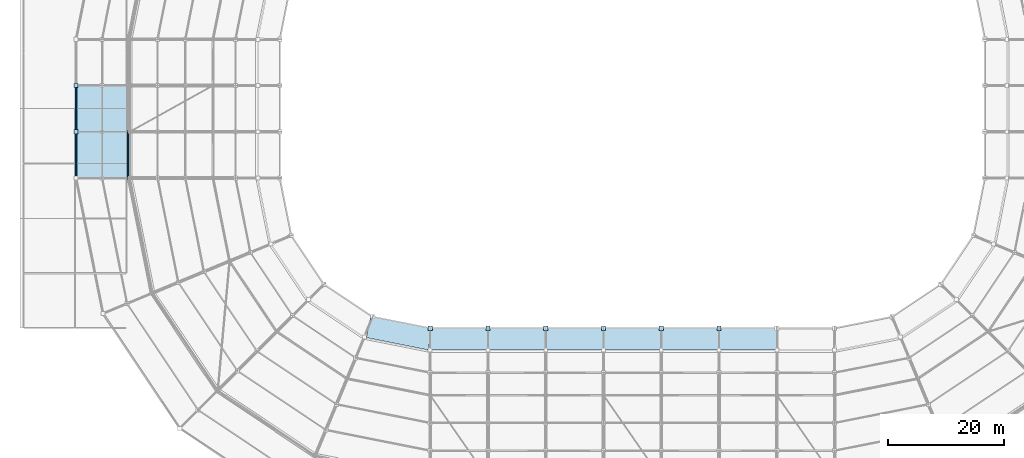
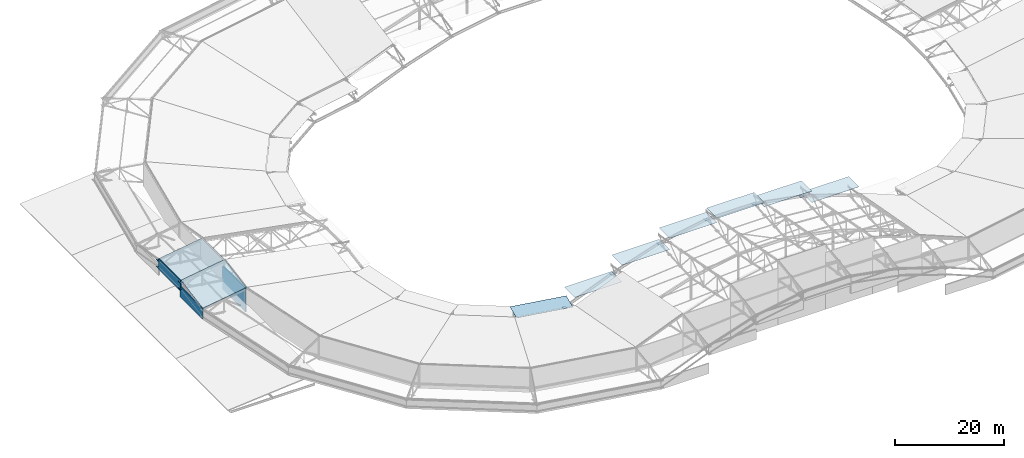
# One storey, part 107 of 146: 20 plates, 2 slabs.
"""IFC4 building model written with IfcOpenShell, lengths in metres."""

from ifc_helpers import new_model, si_unit, direction, frame, origin, origin_2d, place, context, subcontext, project, spatial, polyline, rectangle, outline, extrude, material, layer, layer_set, type_object, element, save


model = new_model("IFC4")

# Units and contexts
model_context = context("Model", 3, precision=1e-05, world=origin(), true_north=direction((0.0, 1.0)))
body_context = subcontext(model_context, "Body", "Model", "MODEL_VIEW")
ifc_project = project(units=[si_unit("LENGTHUNIT", "METRE"), si_unit("AREAUNIT", "SQUARE_METRE"), si_unit("VOLUMEUNIT", "CUBIC_METRE"), si_unit("PLANEANGLEUNIT", "RADIAN"), si_unit("MASSUNIT", "GRAM", prefix="KILO")], contexts=[model_context])

# Site, building, storey
site_placement = place(None, origin())
site = spatial("IfcSite", under=ifc_project, at=site_placement, CompositionType="ELEMENT")
building_placement = place(site_placement, origin())
building = spatial("IfcBuilding", under=site, at=building_placement, Name="Candeia Ridge Stadium", CompositionType="ELEMENT")
storey_placement = place(building_placement, frame((0.0, 0.0, 31.800048828125)))
storey = spatial("IfcBuildingStorey", under=building, at=storey_placement, Name="RF", CompositionType="ELEMENT", Elevation=31.800048828125)

# Plates
ifc_material_1 = material(Name="Aluminium Anodized Warm Bronze", Category="aluminium")
ifc_layer_1 = layer(ifc_material_1, 0.239990234375, Name="Aluminium Anodized Warm Bronze", Category="aluminium")
ifc_layer_set_1 = layer_set([ifc_layer_1], Name="Aluminium Anodized Warm Bronze")
plate_type_1 = type_object("IfcPlateType", Name="Crown Perforated Bronze Acoustic Screen", PredefinedType="SHEET", material=ifc_layer_set_1)
plate_1_placement = place(storey_placement, frame((9.699951171875, 83.0, 2.6357421875), z_axis=(0.0, 0.0, 1.0), x_axis=(0.0, -1.0, 0.0)))
element("IfcPlate", 1, at=plate_1_placement, inside=storey, type_object=plate_type_1, Name="Saddle roof outer eaves warm-bronze fascia bay 13", PredefinedType="SHEET", context=body_context, shape_type="SweptSolid", body=[
    extrude(rectangle(XDim=8.06005859375, YDim=0.239990234375, at=origin_2d()), origin(), (0.0, 0.0, 1.0), 2.300048828125),
])
plate_2_placement = place(storey_placement, frame((18.719970703125, 75.0, -0.3251953125), z_axis=(0.0, 0.0, 1.0), x_axis=(0.0, -1.0, 0.0)))
element("IfcPlate", 2, at=plate_2_placement, inside=storey, type_object=plate_type_1, Name="Crown perforated bronze acoustic screen RF bay 14", PredefinedType="SHEET", context=body_context, shape_type="SweptSolid", body=[
    extrude(rectangle(XDim=8.39990234375, YDim=0.239990234375, at=origin_2d()), origin(), (0.0, 0.0, 1.0), 5.330078125),
])
plate_3_placement = place(storey_placement, frame((9.699951171875, 75.0, 1.25), z_axis=(0.0, 0.0, 1.0), x_axis=(0.0, -1.0, 0.0)))
element("IfcPlate", 3, at=plate_3_placement, inside=storey, type_object=plate_type_1, Name="Saddle roof outer eaves warm-bronze fascia bay 14", PredefinedType="SHEET", context=body_context, shape_type="SweptSolid", body=[
    extrude(rectangle(XDim=8.06005859375, YDim=0.239990234375, at=origin_2d()), origin(), (0.0, 0.0, 1.0), 2.300048828125),
])
ifc_material_2 = material(Name="Steel ASTM A572 Grade 50", Category="steel")
ifc_layer_2 = layer(ifc_material_2, 0.02490234375, Name="Steel ASTM A572 Grade 50", Category="steel")
ifc_layer_set_2 = layer_set([ifc_layer_2], Name="Steel ASTM A572 Grade 50")
plate_type_2 = type_object("IfcPlateType", Name="Hollow Section End Closure Plate CP2", PredefinedType="SHEET", material=ifc_layer_set_2)
for number, where, z_axis, x_axis, name in (
    (4, (9.699951171875, 87.0, 4.654052734375), (0.0, 0.0, 1.0), (1.0, 0.0, 0.0), "Hollow section end closure plate TCAP-EAVE-12"),
    (5, (9.699951171875, 87.0, 3.154052734375), (0.0, 0.0, 1.0), (1.0, 0.0, 0.0), "Hollow section end closure plate BCAP-EAVE-12"),
    (6, (9.699951171875, 79.0, 4.654052734375), (0.0, 0.0, 1.0), (1.0, 0.0, 0.0), "Hollow section end closure plate TCAP-EAVE-13"),
    (7, (9.699951171875, 79.0, 3.154052734375), (0.0, 0.0, 1.0), (1.0, 0.0, 0.0), "Hollow section end closure plate BCAP-EAVE-13"),
    (8, (71.0, 45.0, -1.972412109375), (0.0, 0.0, 1.0), (1.0, 0.0, 0.0), "Hollow section end closure plate BCAP-TIP-18"),
    (9, (81.0, 45.0, 2.10595703125), (0.0, 0.0, 1.0), (1.0, 0.0, 0.0), "Hollow section end closure plate BCAP-TIP-19"),
    (10, (91.0, 45.0, 5.376708984375), (0.0, 0.0, 1.0), (1.0, 0.0, 0.0), "Hollow section end closure plate BCAP-TIP-20"),
    (11, (101.0, 45.0, 7.19189453125), (0.0, 0.0, 1.0), (1.0, 0.0, 0.0), "Hollow section end closure plate BCAP-TIP-21"),
    (12, (111.0, 45.0, 7.19189453125), (0.0, 0.0, 1.0), (1.0, 0.0, 0.0), "Hollow section end closure plate BCAP-TIP-22"),
    (13, (121.0, 45.0, 5.376708984375), (0.0, 0.0, 1.0), (1.0, 0.0, 0.0), "Hollow section end closure plate BCAP-TIP-23"),
):
    element("IfcPlate", number, at=place(storey_placement, frame(where, z_axis=z_axis, x_axis=x_axis)), inside=storey, type_object=plate_type_2, Name=name, PredefinedType="SHEET", context=body_context, shape_type="SweptSolid", body=[
        extrude(rectangle(XDim=0.719970703125, YDim=0.719970703125, at=origin_2d()), origin(), (0.0, 0.0, 1.0), 0.02490234375),
    ])
ifc_material_3 = material(Name="Polycarbonate Multiwall Glazing", Category="glass")
ifc_layer_3 = layer(ifc_material_3, 0.034912109375, Name="Polycarbonate Multiwall Glazing", Category="glass")
ifc_layer_set_3 = layer_set([ifc_layer_3], Name="Polycarbonate Multiwall Glazing")
plate_type_3 = type_object("IfcPlateType", Name="Inner Roof Polycarbonate Daylight Panel DP1", PredefinedType="SHEET", material=ifc_layer_set_3)
for number, where, z_axis, x_axis, name in (
    (14, (76.0, 43.10009765625, 2.5634765625), (0.0, 0.0, 1.0), (1.0, 0.0, 0.0), "Inner roof polycarbonate daylight ring panel 19"),
    (15, (96.0, 43.10009765625, 8.78076171875), (0.0, 0.0, 1.0), (1.0, 0.0, 0.0), "Inner roof polycarbonate daylight ring panel 21"),
    (16, (116.0, 43.10009765625, 8.78076171875), (0.0, 0.0, 1.0), (1.0, 0.0, 0.0), "Inner roof polycarbonate daylight ring panel 23"),
):
    element("IfcPlate", number, at=place(storey_placement, frame(where, z_axis=z_axis, x_axis=x_axis)), inside=storey, type_object=plate_type_3, Name=name, PredefinedType="SHEET", context=body_context, shape_type="SweptSolid", body=[
        extrude(rectangle(XDim=10.0, YDim=3.800048828125, at=origin_2d()), origin(), (0.0, 0.0, 1.0), 0.034912109375),
    ])
ifc_layer_4 = layer(ifc_material_3, 0.034912109375, Name="Polycarbonate Multiwall Glazing", Category="glass")
ifc_layer_set_4 = layer_set([ifc_layer_4], Name="Polycarbonate Multiwall Glazing")
plate_type_4 = type_object("IfcPlateType", Name="Inner Roof Polycarbonate Daylight Panel DP2", PredefinedType="SHEET", material=ifc_layer_set_4)
plate_4_placement = place(storey_placement, frame((65.66162109375, 44.161865234375, 0.52392578125), z_axis=(0.0, 0.0, 1.0), x_axis=(0.980785282416, -0.195090311899, 0.0)))
element("IfcPlate", 17, at=plate_4_placement, inside=storey, type_object=plate_type_4, Name="Inner roof polycarbonate daylight ring panel 18", PredefinedType="SHEET", context=body_context, shape_type="SweptSolid", body=[
    extrude(rectangle(XDim=10.885986328125, YDim=3.800048828125, at=origin_2d()), origin(), (0.0, 0.0, 1.0), 0.034912109375),
])
for number, where, z_axis, x_axis, name in (
    (18, (86.0, 43.10009765625, 6.23779296875), (0.0, 0.0, 1.0), (1.0, 0.0, 0.0), "Inner roof polycarbonate daylight ring panel 20"),
    (19, (106.0, 43.10009765625, 9.6884765625), (0.0, 0.0, 1.0), (1.0, 0.0, 0.0), "Inner roof polycarbonate daylight ring panel 22"),
    (20, (126.0, 43.10009765625, 6.23779296875), (0.0, 0.0, 1.0), (1.0, 0.0, 0.0), "Inner roof polycarbonate daylight ring panel 24"),
):
    element("IfcPlate", number, at=place(storey_placement, frame(where, z_axis=z_axis, x_axis=x_axis)), inside=storey, type_object=plate_type_4, Name=name, PredefinedType="SHEET", context=body_context, shape_type="SweptSolid", body=[
        extrude(rectangle(XDim=10.0, YDim=3.800048828125, at=origin_2d()), origin(), (0.0, 0.0, 1.0), 0.034912109375),
    ])

# Slabs
ifc_layer_5 = layer(ifc_material_2, 0.1650390625, Name="Steel ASTM A572 Grade 50", Category="steel")
ifc_layer_set_5 = layer_set([ifc_layer_5], Name="Steel ASTM A572 Grade 50")
slab_type = type_object("IfcSlabType", Name="Saddle Eaves Roof Deck 165", PredefinedType="ROOF", material=ifc_layer_set_5)
slab_1_placement = place(storey_placement, frame((18.919921875, 87.0, 6.3740234375), z_axis=(-0.148884605436, 0.0, 0.988854576904), x_axis=(0.0, -1.0, 0.0)))
element("IfcSlab", 21, at=slab_1_placement, inside=storey, type_object=slab_type, Name="Stadium saddle roof eave deck bay 13", PredefinedType="ROOF", context=body_context, shape_type="SweptSolid", body=[
    extrude(outline(polyline([(0.0, 0.0), (8.0, 0.0), (8.0, -9.323889395334973), (0.0, -9.323889395334973), (0.0, 0.0)])), origin(), (0.0, 0.0, -1.0), 0.1650390625),
])
slab_2_placement = place(storey_placement, frame((18.919921875, 79.0, 6.3740234375), z_axis=(-0.146746697353, -0.168857334273, 0.974655122327), x_axis=(0.0, -0.985322117702, -0.170705372992)))
element("IfcSlab", 22, at=slab_2_placement, inside=storey, type_object=slab_type, Name="Stadium saddle roof eave deck bay 14", PredefinedType="ROOF", context=body_context, shape_type="SweptSolid", body=[
    extrude(outline(polyline([(0.0, 0.0), (8.11917225471596, 2.7755575615628914e-17), (8.356142652867986, -9.320877559910313), (0.23697039815202675, -9.320877559910313), (0.0, 0.0)])), origin(), (0.0, 0.0, -1.0), 0.1650390625),
])

save(model, "model.ifc")
